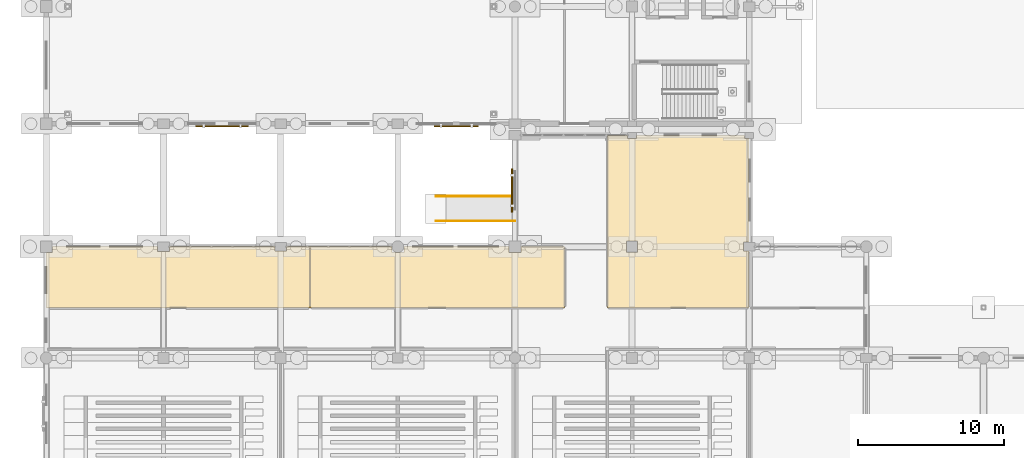
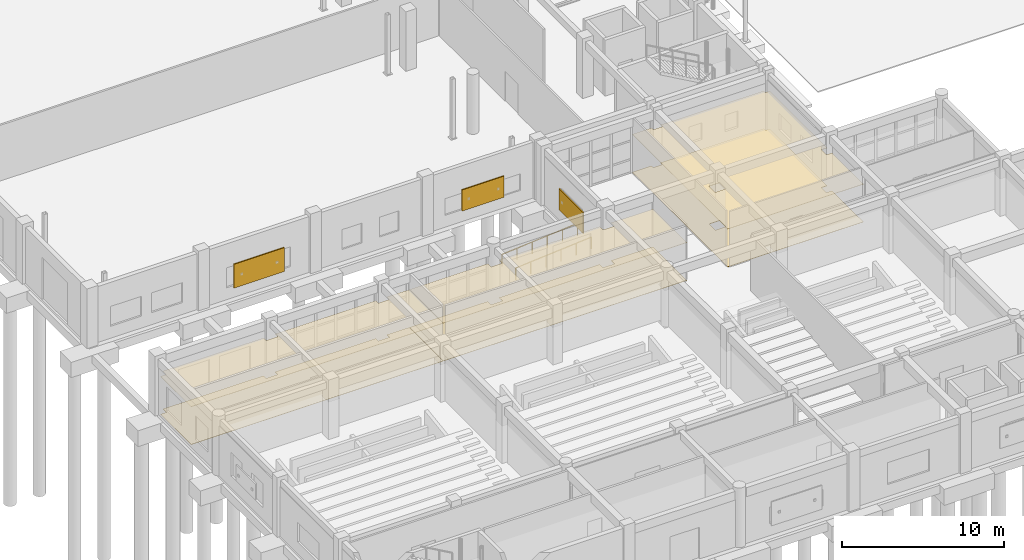
# One storey, part 153 of 166: 6 coverings, 3 shading devices, 2 railings.
"""IFC4 building model written with IfcOpenShell, lengths in metres."""

from ifc_helpers import new_model, si_unit, direction, frame, origin, origin_2d, place, context, subcontext, project, spatial, polyline, rectangle, circle, outline, extrude, material, layer, layer_set, type_object, element, save


model = new_model("IFC4")

# Units and contexts
model_context = context("Model", 3, precision=1e-05, world=origin(), true_north=direction((0.0, 1.0)))
body_context = subcontext(model_context, "Body", "Model", "MODEL_VIEW")
ifc_project = project(units=[si_unit("LENGTHUNIT", "METRE"), si_unit("AREAUNIT", "SQUARE_METRE"), si_unit("VOLUMEUNIT", "CUBIC_METRE"), si_unit("PLANEANGLEUNIT", "RADIAN"), si_unit("MASSUNIT", "GRAM", prefix="KILO")], contexts=[model_context])

# Site, building, storey
site_placement = place(None, origin())
site = spatial("IfcSite", under=ifc_project, at=site_placement, CompositionType="ELEMENT")
building_placement = place(site_placement, origin())
building = spatial("IfcBuilding", under=site, at=building_placement, Name="Kharva Crest Polytechnic", CompositionType="ELEMENT")
storey_placement = place(building_placement, origin())
storey = spatial("IfcBuildingStorey", under=building, at=storey_placement, Name="L00", CompositionType="ELEMENT", Elevation=0.0)

# Coverings
ifc_material_1 = material(Name="Acoustic mineral board")
ifc_layer_1 = layer(ifc_material_1, 0.02490234375, Name="Acoustic mineral board")
ifc_layer_set_1 = layer_set([ifc_layer_1], Name="Acoustic mineral board")
covering_type_1 = type_object("IfcCoveringType", Name="COV-CLG-ACOUSTIC", PredefinedType="CEILING", material=ifc_layer_set_1)
covering_1_placement = place(storey_placement, frame((0.0, 0.0, 2.85009765625)))
element("IfcCovering", 1, at=covering_1_placement, inside=storey, type_object=covering_type_1, Name="L00 Seminar Room L00-C Acoustic Ceiling", PredefinedType="CEILING", context=body_context, shape_type="SweptSolid", body=[
    extrude(outline(polyline([(0.0, 29.989990234375), (0.409912109375, 29.989990234375), (0.409912109375, 30.39990234375), (7.590087890625, 30.39990234375), (7.590087890625, 30.06494140625), (8.409912109375, 30.06494140625), (8.409912109375, 30.39990234375), (15.60009765625, 30.39990234375), (15.60009765625, 30.090087890625), (16.39990234375, 30.090087890625), (16.39990234375, 30.39990234375), (18.0, 30.39990234375), (18.0, 26.2099609375), (0.0, 26.2099609375), (0.0, 29.989990234375)])), origin(), (0.0, 0.0, 1.0), 0.02490234375),
])
covering_2_placement = place(storey_placement, frame((0.0, 0.0, 2.85009765625)))
element("IfcCovering", 2, at=covering_2_placement, inside=storey, type_object=covering_type_1, Name="L00 Seminar Room L00-D Acoustic Ceiling", PredefinedType="CEILING", context=body_context, shape_type="SweptSolid", body=[
    extrude(outline(polyline([(23.590087890625, 30.39990234375), (23.590087890625, 29.989990234375), (24.409912109375, 29.989990234375), (24.409912109375, 30.39990234375), (31.590087890625, 30.39990234375), (31.590087890625, 29.989990234375), (32.409912109375, 29.989990234375), (32.409912109375, 30.39990234375), (35.389892578125, 30.39990234375), (35.389892578125, 26.2099609375), (18.010009765625, 26.2099609375), (18.010009765625, 30.39990234375), (23.590087890625, 30.39990234375)])), origin(), (0.0, 0.0, 1.0), 0.02490234375),
])
covering_3_placement = place(storey_placement, frame((0.0, 0.0, 2.85009765625)))
element("IfcCovering", 3, at=covering_3_placement, inside=storey, type_object=covering_type_1, Name="L00 Student Coat and Equipment Store Acoustic Ceiling", PredefinedType="CEILING", context=body_context, shape_type="SweptSolid", body=[
    extrude(outline(polyline([(39.68994140625, 38.0), (39.68994140625, 37.7900390625), (40.31005859375, 37.7900390625), (40.31005859375, 38.0), (47.68994140625, 38.0), (47.68994140625, 37.7900390625), (48.0, 37.7900390625), (48.0, 30.7099609375), (47.60009765625, 30.7099609375), (47.60009765625, 30.090087890625), (48.0, 30.090087890625), (48.0, 26.2099609375), (38.31005859375, 26.2099609375), (38.31005859375, 38.0), (39.68994140625, 38.0)]), holes=[polyline([(40.3798828125, 30.780029296875), (39.6201171875, 30.780029296875), (39.6201171875, 30.02001953125), (40.3798828125, 30.02001953125), (40.3798828125, 30.780029296875)])]), origin(), (0.0, 0.0, 1.0), 0.02490234375),
])
ifc_material_2 = material(Name="Terrazzo tile")
ifc_layer_2 = layer(ifc_material_2, 0.02001953125, Name="Terrazzo tile")
ifc_layer_set_2 = layer_set([ifc_layer_2], Name="Terrazzo tile")
covering_type_2 = type_object("IfcCoveringType", Name="COV-FLR-TERRAZZO", PredefinedType="FLOORING", material=ifc_layer_set_2)
covering_4_placement = place(storey_placement, origin())
element("IfcCovering", 4, at=covering_4_placement, inside=storey, type_object=covering_type_2, Name="L00 Seminar Room L00-C Terrazzo Flooring", PredefinedType="FLOORING", context=body_context, shape_type="SweptSolid", body=[
    extrude(outline(polyline([(0.0, 29.989990234375), (0.409912109375, 29.989990234375), (0.409912109375, 30.39990234375), (7.590087890625, 30.39990234375), (7.590087890625, 30.06494140625), (8.409912109375, 30.06494140625), (8.409912109375, 30.39990234375), (15.60009765625, 30.39990234375), (15.60009765625, 30.090087890625), (16.39990234375, 30.090087890625), (16.39990234375, 30.39990234375), (18.0, 30.39990234375), (18.0, 26.2099609375), (0.0, 26.2099609375), (0.0, 29.989990234375)])), origin(), (0.0, 0.0, 1.0), 0.02001953125),
])
covering_5_placement = place(storey_placement, origin())
element("IfcCovering", 5, at=covering_5_placement, inside=storey, type_object=covering_type_2, Name="L00 Seminar Room L00-D Terrazzo Flooring", PredefinedType="FLOORING", context=body_context, shape_type="SweptSolid", body=[
    extrude(outline(polyline([(23.590087890625, 30.39990234375), (23.590087890625, 29.989990234375), (24.409912109375, 29.989990234375), (24.409912109375, 30.39990234375), (31.590087890625, 30.39990234375), (31.590087890625, 29.989990234375), (32.409912109375, 29.989990234375), (32.409912109375, 30.39990234375), (35.389892578125, 30.39990234375), (35.389892578125, 26.2099609375), (18.010009765625, 26.2099609375), (18.010009765625, 30.39990234375), (23.590087890625, 30.39990234375)])), origin(), (0.0, 0.0, 1.0), 0.02001953125),
])
covering_6_placement = place(storey_placement, origin())
element("IfcCovering", 6, at=covering_6_placement, inside=storey, type_object=covering_type_2, Name="L00 Student Coat and Equipment Store Terrazzo Flooring", PredefinedType="FLOORING", context=body_context, shape_type="SweptSolid", body=[
    extrude(outline(polyline([(39.68994140625, 38.0), (39.68994140625, 37.7900390625), (40.31005859375, 37.7900390625), (40.31005859375, 38.0), (47.68994140625, 38.0), (47.68994140625, 37.7900390625), (48.0, 37.7900390625), (48.0, 30.7099609375), (47.60009765625, 30.7099609375), (47.60009765625, 30.090087890625), (48.0, 30.090087890625), (48.0, 26.2099609375), (38.31005859375, 26.2099609375), (38.31005859375, 38.0), (39.68994140625, 38.0)]), holes=[polyline([(40.3798828125, 30.780029296875), (39.6201171875, 30.780029296875), (39.6201171875, 30.02001953125), (40.3798828125, 30.02001953125), (40.3798828125, 30.780029296875)])]), origin(), (0.0, 0.0, 1.0), 0.02001953125),
])

# Railings
ifc_material_3 = material(Name="Teak timber", Category="wood")
railing_type = type_object("IfcRailingType", Name="RL-STAIR-HAND-900", PredefinedType="HANDRAIL", material=ifc_material_3)
for number, where, name in (
    (7, (26.60009765625, 33.85009765625, -0.449951171875), "West Forecourt Accessible Ramp Handrail L"),
    (8, (26.60009765625, 32.14990234375, -0.449951171875), "West Forecourt Accessible Ramp Handrail R"),
):
    element("IfcRailing", number, at=place(storey_placement, frame(where)), inside=storey, type_object=railing_type, Name=name, PredefinedType="HANDRAIL", context=body_context, shape_type="SweptSolid", body=[
        extrude(circle(Radius=0.02392578125, at=origin_2d()), frame((0.0, 0.0, 0.8759765625), z_axis=(0.996546379678, 0.0, 0.083038022323), x_axis=(0.0, 1.0, 0.0)), (0.0, 0.0, 1.0), 5.418701171875),
        extrude(circle(Radius=0.02099609375, at=origin_2d()), origin(), (0.0, 0.0, 1.0), 0.851806640625),
        extrude(circle(Radius=0.02099609375, at=origin_2d()), frame((1.080078125, 0.0, 0.090087890625)), (0.0, 0.0, 1.0), 0.851806640625),
        extrude(circle(Radius=0.02099609375, at=origin_2d()), frame((2.159912109375, 0.0, 0.179931640625)), (0.0, 0.0, 1.0), 0.851806640625),
        extrude(circle(Radius=0.02099609375, at=origin_2d()), frame((3.239990234375, 0.0, 0.27001953125)), (0.0, 0.0, 1.0), 0.851806640625),
        extrude(circle(Radius=0.02099609375, at=origin_2d()), frame((4.31982421875, 0.0, 0.35986328125)), (0.0, 0.0, 1.0), 0.851806640625),
        extrude(circle(Radius=0.02099609375, at=origin_2d()), frame((5.39990234375, 0.0, 0.449951171875)), (0.0, 0.0, 1.0), 0.851806640625),
    ])

# Shading devices
ifc_material_4 = material(Name="Perforated terracotta", Category="masonry")
shading_device_type_1 = type_object("IfcShadingDeviceType", Name="SHD-JAALI-3000X1600", PredefinedType="USERDEFINED", material=ifc_material_4)
for number, where, z_axis, x_axis, name in (
    (9, (31.79443359375, 34.237548828125, 0.849853515625), (0.0, 0.0, 1.0), (0.0, 1.0, 0.0), "L00 Terracotta Jaali Solar Screen 7"),
    (10, (28.0, 38.632080078125, 0.849853515625), (0.0, 0.0, 1.0), (1.0, 0.0, 0.0), "L00 Terracotta Jaali Solar Screen 16"),
):
    element("IfcShadingDevice", number, at=place(storey_placement, frame(where, z_axis=z_axis, x_axis=x_axis)), inside=storey, type_object=shading_device_type_1, Name=name, ObjectType="LOUVRE", PredefinedType="USERDEFINED", context=body_context, shape_type="SweptSolid", body=[
        extrude(rectangle(XDim=3.0, YDim=0.080078125, at=origin_2d()), origin(), (0.0, 0.0, 1.0), 1.60009765625),
    ])
shading_device_type_2 = type_object("IfcShadingDeviceType", Name="SHD-JAALI-3600X1800", PredefinedType="USERDEFINED", material=ifc_material_4)
shading_device_placement = place(storey_placement, frame((12.0, 38.616943359375, 0.75), z_axis=(0.0, 0.0, 1.0), x_axis=(1.0, 0.0, 0.0)))
element("IfcShadingDevice", 11, at=shading_device_placement, inside=storey, type_object=shading_device_type_2, Name="L00 Terracotta Jaali Solar Screen 15", ObjectType="LOUVRE", PredefinedType="USERDEFINED", context=body_context, shape_type="SweptSolid", body=[
    extrude(rectangle(XDim=3.60009765625, YDim=0.080078125, at=origin_2d()), origin(), (0.0, 0.0, 1.0), 1.800048828125),
])

save(model, "model.ifc")
